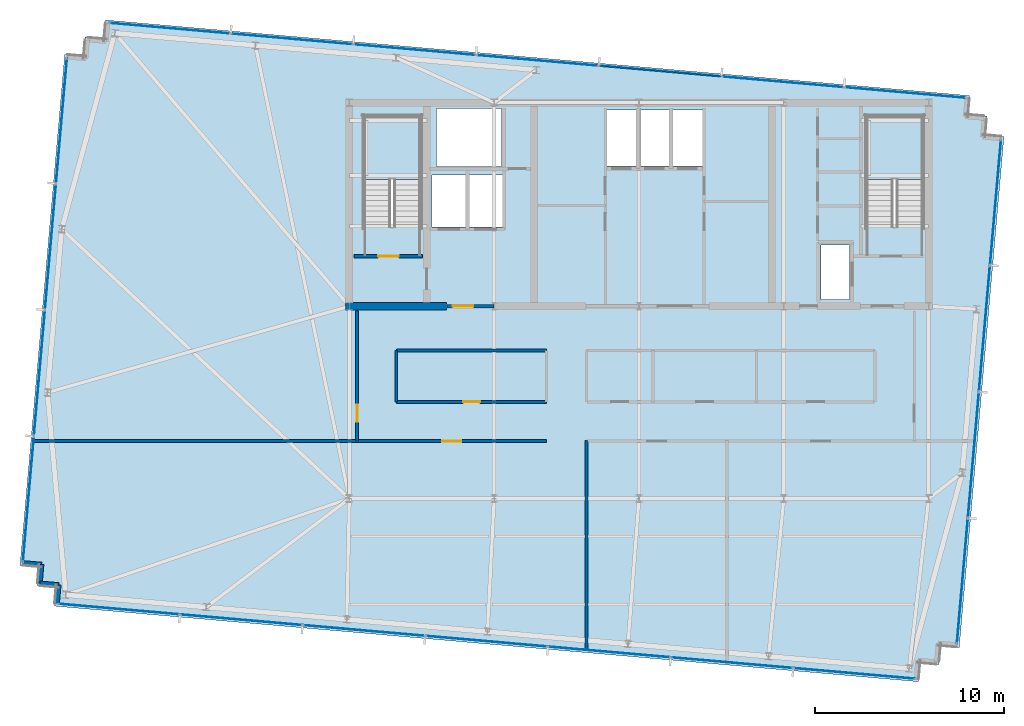
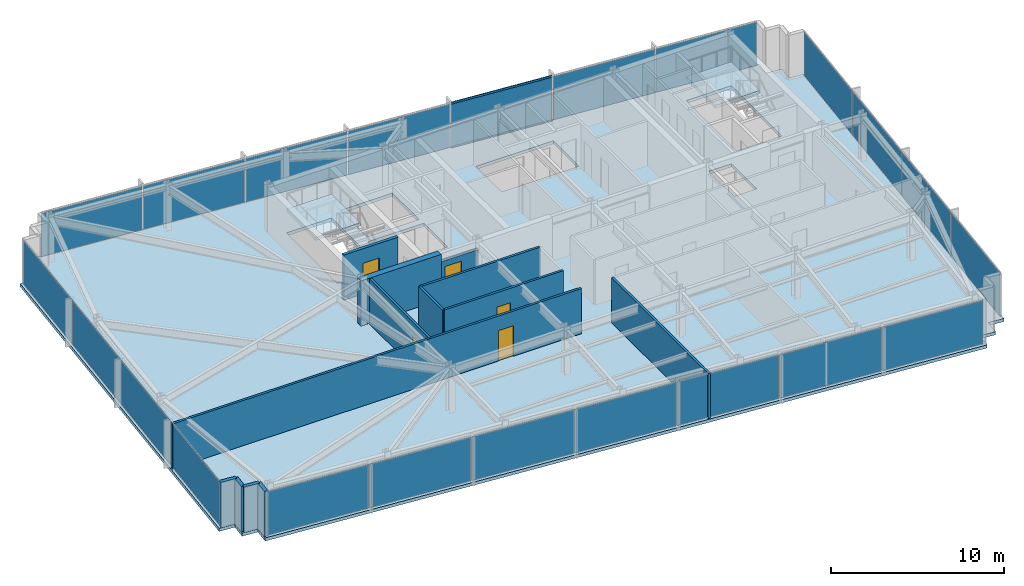
# One storey, part 26 of 32: 22 plates, 13 walls, 5 doors, 3 slabs, 2 members, 5 openings, 6 elements without a shape of their own.
"""IFC4 building model written with IfcOpenShell, lengths in metres."""

import ifcopenshell
import ifcopenshell.guid

model = None  # the IFC model being written
_history = None  # IfcOwnerHistory: only IFC2X3 demands one
_inside = {}  # id of a spatial element -> (the spatial element, [elements in it])
_under = {}  # id of a project, library or spatial element -> (it, [spatial elements below it])
_declared = {}  # id of a project -> (the project, [libraries it declares])
_typed = {}  # id of a type object -> (the type object, [elements of that type])
_made_of = {}  # id of a material, layer set ... -> (it, [elements and type objects made of it])


def new_model(schema):
    """Start an empty IFC model of exactly this schema.

    Asked for "IFC4X3", IfcOpenShell would pick the latest addendum, in which some entities
    have other attributes; the version numbers below select the first issue.
    IFC2X3 requires an IfcOwnerHistory on every rooted entity: one is made here for all.
    """
    global model, _history
    if schema == "IFC4X3":
        model = ifcopenshell.file(schema_version=(4, 3, 0, 0))
    else:
        model = ifcopenshell.file(schema=schema)
    _inside.clear()
    _under.clear()
    _declared.clear()
    _typed.clear()
    _made_of.clear()
    _history = None
    if model.schema == "IFC2X3":
        org = make("IfcOrganization", Name="unknown")
        user = make(
            "IfcPersonAndOrganization",
            ThePerson=make("IfcPerson", FamilyName="unknown"),
            TheOrganization=org,
        )
        app = make(
            "IfcApplication",
            ApplicationDeveloper=org,
            Version="unknown",
            ApplicationFullName="unknown",
            ApplicationIdentifier="unknown",
        )
        _history = make(
            "IfcOwnerHistory",
            OwningUser=user,
            OwningApplication=app,
            ChangeAction="ADDED",
            CreationDate=0,
        )
    return model


def make(cls, **values):
    """One entity of the class cls with the attributes given. An attribute that is None is left unset."""
    return model.create_entity(
        cls, **{name: value for name, value in values.items() if value is not None}
    )


def rooted(cls, **values):
    """An entity with a GlobalId (a new one), such as an element, a storey or a relation."""
    return make(cls, GlobalId=ifcopenshell.guid.new(), OwnerHistory=_history, **values)


def si_unit(unit_type, name, prefix=None):
    """IfcSIUnit, for example si_unit("LENGTHUNIT", "METRE", prefix="MILLI")."""
    return make("IfcSIUnit", UnitType=unit_type, Prefix=prefix, Name=name)


def assignment(units):
    """IfcUnitAssignment: the units of a project."""
    return None if units is None else make("IfcUnitAssignment", Units=units)


def point(xyz):
    """IfcCartesianPoint."""
    return None if xyz is None else make("IfcCartesianPoint", Coordinates=xyz)


def direction(xyz):
    """IfcDirection."""
    return None if xyz is None else make("IfcDirection", DirectionRatios=xyz)


def frame(location, z_axis=None, x_axis=None):
    """IfcAxis2Placement3D, a coordinate frame: its origin and axes. An axis left out is left unset."""
    return make(
        "IfcAxis2Placement3D",
        Location=point(location),
        Axis=direction(z_axis),
        RefDirection=direction(x_axis),
    )


def frame_2d(location, x_axis=None):
    """IfcAxis2Placement2D, a coordinate frame in the plane: its origin and x axis."""
    return make(
        "IfcAxis2Placement2D", Location=point(location), RefDirection=direction(x_axis)
    )


def origin():
    """The frame at (0, 0, 0) with its axes left unset."""
    return frame((0.0, 0.0, 0.0))


def origin_2d():
    """The frame at (0, 0) in the plane with its x axis left unset."""
    return frame_2d((0.0, 0.0))


def place(relative_to, where):
    """IfcLocalPlacement: puts the frame where relative to a parent placement (None: the world)."""
    return make(
        "IfcLocalPlacement", PlacementRelTo=relative_to, RelativePlacement=where
    )


def context(
    kind, dimensions, precision=None, world=None, true_north=None, identifier=None
):
    """IfcGeometricRepresentationContext, for example the 3D "Model" context."""
    return make(
        "IfcGeometricRepresentationContext",
        ContextIdentifier=identifier,
        ContextType=kind,
        CoordinateSpaceDimension=dimensions,
        Precision=precision,
        WorldCoordinateSystem=world,
        TrueNorth=true_north,
    )


def subcontext(parent, identifier, kind, view, scale=None):
    """IfcGeometricRepresentationSubContext, for example "Body" below "Model"."""
    return make(
        "IfcGeometricRepresentationSubContext",
        ContextIdentifier=identifier,
        ContextType=kind,
        ParentContext=parent,
        TargetScale=scale,
        TargetView=view,
    )


def project(units=None, contexts=None):
    """IfcProject with its units and contexts."""
    return rooted(
        "IfcProject",
        Name="project",
        RepresentationContexts=contexts,
        UnitsInContext=assignment(units),
    )


def spatial(cls, under=None, at=None, **own):
    """A site, building, storey or space (cls), placed at a placement, below another one or the project."""
    s = rooted(cls, ObjectPlacement=at, **own)
    if under is not None:
        _under.setdefault(under.id(), (under, []))[1].append(s)
    return s


def polyline(points):
    """IfcPolyline through the points."""
    return make("IfcPolyline", Points=[point(p) for p in points])


def profile(cls, at=None, kind="AREA", **sizes):
    """A parametric profile (cls). Its sizes go by their IFC names, for example OverallWidth=200.0."""
    return make(cls, ProfileType=kind, Position=at, **sizes)


def rectangle(**sizes):
    """IfcRectangleProfileDef."""
    return profile("IfcRectangleProfileDef", **sizes)


def hollow_rectangle(**sizes):
    """IfcRectangleHollowProfileDef."""
    return profile("IfcRectangleHollowProfileDef", **sizes)


def outline(outer, holes=None, kind="AREA"):
    """IfcArbitraryClosedProfileDef: a profile drawn as a closed curve; with holes, ...WithVoids."""
    if holes is None:
        return make("IfcArbitraryClosedProfileDef", ProfileType=kind, OuterCurve=outer)
    return make(
        "IfcArbitraryProfileDefWithVoids",
        ProfileType=kind,
        OuterCurve=outer,
        InnerCurves=holes,
    )


def extrude(swept, where, along, depth):
    """IfcExtrudedAreaSolid: the profile swept, set in the frame where, extruded along a direction by depth."""
    return make(
        "IfcExtrudedAreaSolid",
        SweptArea=swept,
        Position=where,
        ExtrudedDirection=direction(along),
        Depth=depth,
    )


def shape(context_of_items, identifier, shape_type, items):
    """IfcShapeRepresentation: the items that make up one representation, for example the "Body"."""
    return make(
        "IfcShapeRepresentation",
        ContextOfItems=context_of_items,
        RepresentationIdentifier=identifier,
        RepresentationType=shape_type,
        Items=items,
    )


def material(Name=None, Category=None):
    """IfcMaterial."""
    return make("IfcMaterial", Name=Name, Category=Category)


def layer(
    of_material, thickness, ventilated=None, Name=None, Category=None, Priority=None
):
    """IfcMaterialLayer: one layer of a wall or slab, of a material (None: an air gap)."""
    return make(
        "IfcMaterialLayer",
        Material=of_material,
        LayerThickness=thickness,
        IsVentilated=ventilated,
        Name=Name,
        Category=Category,
        Priority=Priority,
    )


def layer_set(layers, Name=None):
    """IfcMaterialLayerSet."""
    return make("IfcMaterialLayerSet", MaterialLayers=layers, LayerSetName=Name)


def material_profile(
    of_material, cross_section, Name=None, Category=None, Priority=None
):
    """IfcMaterialProfile: a cross section and its material."""
    return make(
        "IfcMaterialProfile",
        Name=Name,
        Material=of_material,
        Profile=cross_section,
        Priority=Priority,
        Category=Category,
    )


def profile_set(profiles, Name=None, composite=None):
    """IfcMaterialProfileSet."""
    return make(
        "IfcMaterialProfileSet",
        Name=Name,
        MaterialProfiles=profiles,
        CompositeProfile=composite,
    )


def made_of(thing, what):
    """Note that an element or type object is made of a material, layer set ...; save() writes the relation."""
    if what is not None:
        _made_of.setdefault(what.id(), (what, []))[1].append(thing)
    return thing


def type_object(cls, material=None, **own):
    """A type object (cls), such as IfcWallType, which elements share."""
    return made_of(rooted(cls, **own), material)


def element(
    cls,
    number,
    at=None,
    inside=None,
    cuts=None,
    type_object=None,
    material=None,
    context=None,
    identifier="Body",
    shape_type=None,
    held_by="IfcProductDefinitionShape",
    body=None,
    shapes=None,
    **own,
):
    """One element of the class cls, such as IfcWall. Its Tag is "e" and its number.

    at: its placement. inside: the storey or other place that contains it. cuts: it is an
    opening in that element (IfcRelVoidsElement). A single representation is given by context,
    identifier, shape_type and body (its items); several are given by shapes. held_by: the class
    of the entity that holds the representations. save() writes the other relations.
    """
    e = rooted(cls, Tag="e%d" % number, ObjectPlacement=at, **own)
    if body is not None:
        shapes = [shape(context, identifier, shape_type, body)]
    if shapes is not None:
        e.Representation = make(held_by, Representations=shapes)
    if inside is not None:
        _inside.setdefault(inside.id(), (inside, []))[1].append(e)
    if cuts is not None:
        rooted(
            "IfcRelVoidsElement", RelatingBuildingElement=cuts, RelatedOpeningElement=e
        )
    if type_object is not None:
        _typed.setdefault(type_object.id(), (type_object, []))[1].append(e)
    return made_of(e, material)


def fill(opening, filler):
    """IfcRelFillsElement: the door or window that sits in an opening."""
    return rooted(
        "IfcRelFillsElement",
        RelatingOpeningElement=opening,
        RelatedBuildingElement=filler,
    )


def aggregate(whole, parts):
    """IfcRelAggregates: a whole, such as a stair, and the parts it consists of."""
    return rooted("IfcRelAggregates", RelatingObject=whole, RelatedObjects=parts)


def save(model, path):
    """Write the relations noted so far, then the file.

    IfcRelAggregates (storeys below a building ...), IfcRelContainedInSpatialStructure (elements
    in a storey), IfcRelDefinesByType, IfcRelAssociatesMaterial and IfcRelDeclares: one each for
    every whole, place, type object, material and project.
    """
    for whole, parts in _under.values():
        aggregate(whole, parts)
    for where, things in _inside.values():
        rooted(
            "IfcRelContainedInSpatialStructure",
            RelatedElements=things,
            RelatingStructure=where,
        )
    for kind, things in _typed.values():
        rooted("IfcRelDefinesByType", RelatedObjects=things, RelatingType=kind)
    for what, things in _made_of.values():
        rooted("IfcRelAssociatesMaterial", RelatedObjects=things, RelatingMaterial=what)
    for by, libraries in _declared.values():
        rooted("IfcRelDeclares", RelatingContext=by, RelatedDefinitions=libraries)
    model.write(path)


model = new_model("IFC4")

# Units and contexts
model_context = context("Model", 3, precision=1e-05, world=origin(), true_north=direction((0.0, 1.0)))
body_context = subcontext(model_context, "Body", "Model", "MODEL_VIEW")
ifc_project = project(units=[si_unit("LENGTHUNIT", "METRE"), si_unit("AREAUNIT", "SQUARE_METRE"), si_unit("VOLUMEUNIT", "CUBIC_METRE"), si_unit("PLANEANGLEUNIT", "RADIAN"), si_unit("MASSUNIT", "GRAM", prefix="KILO")], contexts=[model_context])

# Site, building, storey
site_placement = place(None, origin())
site = spatial("IfcSite", under=ifc_project, at=site_placement, CompositionType="ELEMENT")
building_placement = place(site_placement, origin())
building = spatial("IfcBuilding", under=site, at=building_placement, Name="Yelkora Congress Tower", CompositionType="ELEMENT")
storey_placement = place(building_placement, frame((0.0, 0.0, 269.300048828125)))
storey = spatial("IfcBuildingStorey", under=building, at=storey_placement, Name="L75", CompositionType="ELEMENT", Elevation=269.300048828125)

# Curtain wall, members
ifc_material_1 = material(Name="Anodised aluminium and insulated glass", Category="aluminium")
curtain_wall_type = type_object("IfcCurtainWallType", Name="CW-SYS-B5", PredefinedType="NOTDEFINED", material=ifc_material_1)
curtain_wall_1_placement = place(storey_placement, origin())
curtain_wall_1 = element("IfcCurtainWall", 1, at=curtain_wall_1_placement, inside=storey, type_object=curtain_wall_type, Name="L75 Unitised Curtain Wall 10", PredefinedType="NOTDEFINED")
ifc_material_2 = material(Name="Anodised aluminium 6063-T6", Category="aluminium")
ifc_material_profile = material_profile(ifc_material_2, hollow_rectangle(XDim=0.06005859375, YDim=0.1298828125, WallThickness=0.00390625, at=origin_2d()), Name="ALU 60x130x4")
ifc_profile_set = profile_set([ifc_material_profile], Name="Anodised aluminium 6063-T6")
member_type = type_object("IfcMemberType", Name="MEM-TR-B5", PredefinedType="USERDEFINED", material=ifc_profile_set)
member_1_placement = place(storey_placement, frame((36.298583984375, 48.14794921875, 0.030029296875), z_axis=(0.996192979814, -0.08717538052, 0.0), x_axis=(0.08717538052, 0.996192979814, 0.0)))
member_1 = element("IfcMember", 2, at=member_1_placement, type_object=member_type, Name="CW-B5 transom 5.1", ObjectType="TRANSOM", PredefinedType="USERDEFINED", context=body_context, shape_type="SweptSolid", body=[
    extrude(hollow_rectangle(XDim=0.06005859375, YDim=0.1298828125, WallThickness=0.00390625, at=origin_2d()), origin(), (0.0, 0.0, 1.0), 6.466552734375),
])
member_2_placement = place(storey_placement, frame((36.298583984375, 48.14794921875, 3.14990234375), z_axis=(0.996192979814, -0.08717538052, 0.0), x_axis=(0.08717538052, 0.996192979814, 0.0)))
member_2 = element("IfcMember", 3, at=member_2_placement, type_object=member_type, Name="CW-B5 transom 5.2", ObjectType="TRANSOM", PredefinedType="USERDEFINED", context=body_context, shape_type="SweptSolid", body=[
    extrude(hollow_rectangle(XDim=0.06005859375, YDim=0.1298828125, WallThickness=0.00390625, at=origin_2d()), origin(), (0.0, 0.0, 1.0), 6.466552734375),
])

# Curtain wall, plates
curtain_wall_2_placement = place(storey_placement, origin())
curtain_wall_2 = element("IfcCurtainWall", 4, at=curtain_wall_2_placement, inside=storey, type_object=curtain_wall_type, Name="L75 Unitised Curtain Wall 5", PredefinedType="NOTDEFINED")
ifc_material_3 = material(Name="High-altitude triple glazed unit B5", Category="glass")
ifc_layer_1 = layer(ifc_material_3, 0.033935546875)
ifc_layer_set_1 = layer_set([ifc_layer_1], Name="High-altitude triple glazed unit B5")
plate_type = type_object("IfcPlateType", Name="PLT-PN-B5", PredefinedType="CURTAIN_PANEL", material=ifc_layer_set_1)
plate_1_placement = place(storey_placement, frame((6.021728515625, 25.16064453125, 0.059814453125), z_axis=(0.0, 0.0, 1.0), x_axis=(0.08715473876, 0.996194785929, 0.0)))
plate_1 = element("IfcPlate", 5, at=plate_1_placement, type_object=plate_type, Name="CW-B5 panel 1.1", PredefinedType="CURTAIN_PANEL", context=body_context, shape_type="SweptSolid", body=[
    extrude(rectangle(XDim=6.632568359375, YDim=0.033935546875, at=origin_2d()), origin(), (0.0, 0.0, 1.0), 3.06005859375),
])
plate_2_placement = place(storey_placement, frame((6.60693359375, 31.848876953125, 0.059814453125), z_axis=(0.0, 0.0, 1.0), x_axis=(0.08715473876, 0.996194785929, 0.0)))
plate_2 = element("IfcPlate", 6, at=plate_2_placement, type_object=plate_type, Name="CW-B5 panel 2.1", PredefinedType="CURTAIN_PANEL", context=body_context, shape_type="SweptSolid", body=[
    extrude(rectangle(XDim=6.6650390625, YDim=0.033935546875, at=origin_2d()), origin(), (0.0, 0.0, 1.0), 3.06005859375),
])
plate_3_placement = place(storey_placement, frame((7.193359375, 38.55322265625, 0.059814453125), z_axis=(0.0, 0.0, 1.0), x_axis=(0.08715473876, 0.996194785929, 0.0)))
plate_3 = element("IfcPlate", 7, at=plate_3_placement, type_object=plate_type, Name="CW-B5 panel 3.1", PredefinedType="CURTAIN_PANEL", context=body_context, shape_type="SweptSolid", body=[
    extrude(rectangle(XDim=6.6650390625, YDim=0.033935546875, at=origin_2d()), origin(), (0.0, 0.0, 1.0), 3.06005859375),
])
plate_4_placement = place(storey_placement, frame((7.778564453125, 45.2412109375, 0.059814453125), z_axis=(0.0, 0.0, 1.0), x_axis=(0.08715473876, 0.996194785929, 0.0)))
plate_4 = element("IfcPlate", 8, at=plate_4_placement, type_object=plate_type, Name="CW-B5 panel 4.1", PredefinedType="CURTAIN_PANEL", context=body_context, shape_type="SweptSolid", body=[
    extrude(rectangle(XDim=6.632568359375, YDim=0.033935546875, at=origin_2d()), origin(), (0.0, 0.0, 1.0), 3.06005859375),
])
aggregate(curtain_wall_2, [plate_1, plate_2, plate_3, plate_4])

# Plate
plate_5_placement = place(storey_placement, frame((13.509521484375, 50.141845703125, 0.059814453125), z_axis=(0.0, 0.0, 1.0), x_axis=(0.996194619601, -0.087156639893, 0.0)))
plate_5 = element("IfcPlate", 9, at=plate_5_placement, type_object=plate_type, Name="CW-B5 panel 1.1", PredefinedType="CURTAIN_PANEL", context=body_context, shape_type="SweptSolid", body=[
    extrude(rectangle(XDim=6.433837890625, YDim=0.033935546875, at=origin_2d()), origin(), (0.0, 0.0, 1.0), 3.06005859375),
])

plate_6_placement = place(storey_placement, frame((19.999755859375, 49.573974609375, 0.059814453125), z_axis=(0.0, 0.0, 1.0), x_axis=(0.996194619601, -0.087156639893, 0.0)))
plate_6 = element("IfcPlate", 10, at=plate_6_placement, type_object=plate_type, Name="CW-B5 panel 2.1", PredefinedType="CURTAIN_PANEL", context=body_context, shape_type="SweptSolid", body=[
    extrude(rectangle(XDim=6.46630859375, YDim=0.033935546875, at=origin_2d()), origin(), (0.0, 0.0, 1.0), 3.06005859375),
])

plate_7_placement = place(storey_placement, frame((26.50634765625, 49.004638671875, 0.059814453125), z_axis=(0.0, 0.0, 1.0), x_axis=(0.996194619601, -0.087156639893, 0.0)))
plate_7 = element("IfcPlate", 11, at=plate_7_placement, type_object=plate_type, Name="CW-B5 panel 3.1", PredefinedType="CURTAIN_PANEL", context=body_context, shape_type="SweptSolid", body=[
    extrude(rectangle(XDim=6.46630859375, YDim=0.033935546875, at=origin_2d()), origin(), (0.0, 0.0, 1.0), 3.06005859375),
])

plate_8_placement = place(storey_placement, frame((33.012939453125, 48.435302734375, 0.059814453125), z_axis=(0.0, 0.0, 1.0), x_axis=(0.996194619601, -0.087156639893, 0.0)))
plate_8 = element("IfcPlate", 12, at=plate_8_placement, type_object=plate_type, Name="CW-B5 panel 4.1", PredefinedType="CURTAIN_PANEL", context=body_context, shape_type="SweptSolid", body=[
    extrude(rectangle(XDim=6.46630859375, YDim=0.033935546875, at=origin_2d()), origin(), (0.0, 0.0, 1.0), 3.06005859375),
])

plate_9_placement = place(storey_placement, frame((39.51953125, 47.8662109375, 0.059814453125), z_axis=(0.0, 0.0, 1.0), x_axis=(0.996194619601, -0.087156639893, 0.0)))
plate_9 = element("IfcPlate", 13, at=plate_9_placement, type_object=plate_type, Name="CW-B5 panel 5.1", PredefinedType="CURTAIN_PANEL", context=body_context, shape_type="SweptSolid", body=[
    extrude(rectangle(XDim=6.46630859375, YDim=0.033935546875, at=origin_2d()), origin(), (0.0, 0.0, 1.0), 3.06005859375),
])

plate_10_placement = place(storey_placement, frame((46.026123046875, 47.296875, 0.059814453125), z_axis=(0.0, 0.0, 1.0), x_axis=(0.996194619601, -0.087156639893, 0.0)))
plate_10 = element("IfcPlate", 14, at=plate_10_placement, type_object=plate_type, Name="CW-B5 panel 6.1", PredefinedType="CURTAIN_PANEL", context=body_context, shape_type="SweptSolid", body=[
    extrude(rectangle(XDim=6.46630859375, YDim=0.033935546875, at=origin_2d()), origin(), (0.0, 0.0, 1.0), 3.06005859375),
])

plate_11_placement = place(storey_placement, frame((52.5166015625, 46.72900390625, 0.059814453125), z_axis=(0.0, 0.0, 1.0), x_axis=(0.996194619601, -0.087156639893, 0.0)))
plate_11 = element("IfcPlate", 15, at=plate_11_placement, type_object=plate_type, Name="CW-B5 panel 7.1", PredefinedType="CURTAIN_PANEL", context=body_context, shape_type="SweptSolid", body=[
    extrude(rectangle(XDim=6.433837890625, YDim=0.033935546875, at=origin_2d()), origin(), (0.0, 0.0, 1.0), 3.06005859375),
])

aggregate(curtain_wall_1, [plate_5, plate_6, plate_7, plate_8, member_1, member_2, plate_9, plate_10, plate_11])

# Curtain wall, plates
curtain_wall_3_placement = place(storey_placement, origin())
curtain_wall_3 = element("IfcCurtainWall", 16, at=curtain_wall_3_placement, inside=storey, type_object=curtain_wall_type, Name="L75 Unitised Curtain Wall 15", PredefinedType="NOTDEFINED")
plate_12_placement = place(storey_placement, frame((57.309326171875, 40.907958984375, 0.059814453125), z_axis=(0.0, 0.0, 1.0), x_axis=(-0.087158425264, -0.996194463398, 0.0)))
plate_12 = element("IfcPlate", 17, at=plate_12_placement, type_object=plate_type, Name="CW-B5 panel 1.1", PredefinedType="CURTAIN_PANEL", context=body_context, shape_type="SweptSolid", body=[
    extrude(rectangle(XDim=6.632568359375, YDim=0.033935546875, at=origin_2d()), origin(), (0.0, 0.0, 1.0), 3.06005859375),
])
plate_13_placement = place(storey_placement, frame((56.72412109375, 34.2197265625, 0.059814453125), z_axis=(0.0, 0.0, 1.0), x_axis=(-0.087158425264, -0.996194463398, 0.0)))
plate_13 = element("IfcPlate", 18, at=plate_13_placement, type_object=plate_type, Name="CW-B5 panel 2.1", PredefinedType="CURTAIN_PANEL", context=body_context, shape_type="SweptSolid", body=[
    extrude(rectangle(XDim=6.6650390625, YDim=0.033935546875, at=origin_2d()), origin(), (0.0, 0.0, 1.0), 3.06005859375),
])
plate_14_placement = place(storey_placement, frame((56.1376953125, 27.515380859375, 0.059814453125), z_axis=(0.0, 0.0, 1.0), x_axis=(-0.087158425264, -0.996194463398, 0.0)))
plate_14 = element("IfcPlate", 19, at=plate_14_placement, type_object=plate_type, Name="CW-B5 panel 3.1", PredefinedType="CURTAIN_PANEL", context=body_context, shape_type="SweptSolid", body=[
    extrude(rectangle(XDim=6.6650390625, YDim=0.033935546875, at=origin_2d()), origin(), (0.0, 0.0, 1.0), 3.06005859375),
])
plate_15_placement = place(storey_placement, frame((55.552490234375, 20.8271484375, 0.059814453125), z_axis=(0.0, 0.0, 1.0), x_axis=(-0.087158425264, -0.996194463398, 0.0)))
plate_15 = element("IfcPlate", 20, at=plate_15_placement, type_object=plate_type, Name="CW-B5 panel 4.1", PredefinedType="CURTAIN_PANEL", context=body_context, shape_type="SweptSolid", body=[
    extrude(rectangle(XDim=6.632568359375, YDim=0.033935546875, at=origin_2d()), origin(), (0.0, 0.0, 1.0), 3.06005859375),
])
aggregate(curtain_wall_3, [plate_12, plate_13, plate_14, plate_15])

curtain_wall_4_placement = place(storey_placement, origin())
curtain_wall_4 = element("IfcCurtainWall", 21, at=curtain_wall_4_placement, inside=storey, type_object=curtain_wall_type, Name="L75 Unitised Curtain Wall 20", PredefinedType="NOTDEFINED")
plate_16_placement = place(storey_placement, frame((49.821533203125, 15.9267578125, 0.059814453125), z_axis=(0.0, 0.0, 1.0), x_axis=(-0.996194602987, 0.087156829793, 0.0)))
plate_16 = element("IfcPlate", 22, at=plate_16_placement, type_object=plate_type, Name="CW-B5 panel 1.1", PredefinedType="CURTAIN_PANEL", context=body_context, shape_type="SweptSolid", body=[
    extrude(rectangle(XDim=6.433837890625, YDim=0.033935546875, at=origin_2d()), origin(), (0.0, 0.0, 1.0), 3.06005859375),
])
plate_17_placement = place(storey_placement, frame((43.331298828125, 16.49462890625, 0.059814453125), z_axis=(0.0, 0.0, 1.0), x_axis=(-0.996194602987, 0.087156829793, 0.0)))
plate_17 = element("IfcPlate", 23, at=plate_17_placement, type_object=plate_type, Name="CW-B5 panel 2.1", PredefinedType="CURTAIN_PANEL", context=body_context, shape_type="SweptSolid", body=[
    extrude(rectangle(XDim=6.46630859375, YDim=0.033935546875, at=origin_2d()), origin(), (0.0, 0.0, 1.0), 3.06005859375),
])
plate_18_placement = place(storey_placement, frame((36.82470703125, 17.06396484375, 0.059814453125), z_axis=(0.0, 0.0, 1.0), x_axis=(-0.996194602987, 0.087156829793, 0.0)))
plate_18 = element("IfcPlate", 24, at=plate_18_placement, type_object=plate_type, Name="CW-B5 panel 3.1", PredefinedType="CURTAIN_PANEL", context=body_context, shape_type="SweptSolid", body=[
    extrude(rectangle(XDim=6.46630859375, YDim=0.033935546875, at=origin_2d()), origin(), (0.0, 0.0, 1.0), 3.06005859375),
])
plate_19_placement = place(storey_placement, frame((30.318115234375, 17.633056640625, 0.059814453125), z_axis=(0.0, 0.0, 1.0), x_axis=(-0.996194602987, 0.087156829793, 0.0)))
plate_19 = element("IfcPlate", 25, at=plate_19_placement, type_object=plate_type, Name="CW-B5 panel 4.1", PredefinedType="CURTAIN_PANEL", context=body_context, shape_type="SweptSolid", body=[
    extrude(rectangle(XDim=6.46630859375, YDim=0.033935546875, at=origin_2d()), origin(), (0.0, 0.0, 1.0), 3.06005859375),
])
plate_20_placement = place(storey_placement, frame((23.8115234375, 18.202392578125, 0.059814453125), z_axis=(0.0, 0.0, 1.0), x_axis=(-0.996194602987, 0.087156829793, 0.0)))
plate_20 = element("IfcPlate", 26, at=plate_20_placement, type_object=plate_type, Name="CW-B5 panel 5.1", PredefinedType="CURTAIN_PANEL", context=body_context, shape_type="SweptSolid", body=[
    extrude(rectangle(XDim=6.46630859375, YDim=0.033935546875, at=origin_2d()), origin(), (0.0, 0.0, 1.0), 3.06005859375),
])
plate_21_placement = place(storey_placement, frame((17.304931640625, 18.771728515625, 0.059814453125), z_axis=(0.0, 0.0, 1.0), x_axis=(-0.996194602987, 0.087156829793, 0.0)))
plate_21 = element("IfcPlate", 27, at=plate_21_placement, type_object=plate_type, Name="CW-B5 panel 6.1", PredefinedType="CURTAIN_PANEL", context=body_context, shape_type="SweptSolid", body=[
    extrude(rectangle(XDim=6.46630859375, YDim=0.033935546875, at=origin_2d()), origin(), (0.0, 0.0, 1.0), 3.06005859375),
])
plate_22_placement = place(storey_placement, frame((10.814697265625, 19.33935546875, 0.059814453125), z_axis=(0.0, 0.0, 1.0), x_axis=(-0.996194602987, 0.087156829793, 0.0)))
plate_22 = element("IfcPlate", 28, at=plate_22_placement, type_object=plate_type, Name="CW-B5 panel 7.1", PredefinedType="CURTAIN_PANEL", context=body_context, shape_type="SweptSolid", body=[
    extrude(rectangle(XDim=6.433837890625, YDim=0.033935546875, at=origin_2d()), origin(), (0.0, 0.0, 1.0), 3.06005859375),
])
aggregate(curtain_wall_4, [plate_16, plate_17, plate_18, plate_19, plate_20, plate_21, plate_22])

# Stair, slab
ifc_material_4 = material(Name="Concrete C40/50", Category="concrete")
stair_type = type_object("IfcStairType", Name="STAIR-HT-1420-R20-170", PredefinedType="HALF_TURN_STAIR", material=ifc_material_4)
stair_1_placement = place(storey_placement, origin())
stair_1 = element("IfcStair", 29, at=stair_1_placement, inside=storey, type_object=stair_type, Name="West Core Protected Exit Stair ST-01 (L75)", PredefinedType="HALF_TURN_STAIR")
ifc_layer_2 = layer(ifc_material_4, 0.219970703125)
ifc_layer_set_2 = layer_set([ifc_layer_2], Name="Concrete C40/50")
slab_type_1 = type_object("IfcSlabType", Name="SLAB-LANDING-220", PredefinedType="LANDING", material=ifc_layer_set_2)
slab_1_placement = place(storey_placement, frame((0.0, 0.0, 1.47998046875)))
slab_1 = element("IfcSlab", 30, at=slab_1_placement, type_object=slab_type_1, Name="ST-01 L75 Half Landing 1", PredefinedType="LANDING", context=body_context, shape_type="SweptSolid", body=[
    extrude(outline(polyline([(26.820068359375, 42.1201171875), (26.820068359375, 45.469970703125), (23.820068359375, 45.469970703125), (23.820068359375, 42.1201171875), (26.820068359375, 42.1201171875)])), origin(), (0.0, 0.0, 1.0), 0.219970703125),
])
aggregate(stair_1, [slab_1])

stair_2_placement = place(storey_placement, origin())
stair_2 = element("IfcStair", 31, at=stair_2_placement, inside=storey, type_object=stair_type, Name="East Core Protected Exit Stair ST-02 (L75)", PredefinedType="HALF_TURN_STAIR")
slab_2_placement = place(storey_placement, frame((0.0, 0.0, 1.47998046875)))
slab_2 = element("IfcSlab", 32, at=slab_2_placement, type_object=slab_type_1, Name="ST-02 L75 Half Landing 1", PredefinedType="LANDING", context=body_context, shape_type="SweptSolid", body=[
    extrude(outline(polyline([(53.4599609375, 42.1201171875), (53.4599609375, 45.469970703125), (50.4599609375, 45.469970703125), (50.4599609375, 42.1201171875), (53.4599609375, 42.1201171875)])), origin(), (0.0, 0.0, 1.0), 0.219970703125),
])
aggregate(stair_2, [slab_2])

# Slab
ifc_layer_3 = layer(ifc_material_4, 0.219970703125)
ifc_layer_set_3 = layer_set([ifc_layer_3], Name="Concrete C40/50")
slab_type_2 = type_object("IfcSlabType", Name="SLAB-TWR-220", PredefinedType="FLOOR", material=ifc_layer_set_3)
slab_3_placement = place(storey_placement, frame((0.0, 0.0, -0.219970703125)))
element("IfcSlab", 33, at=slab_3_placement, inside=storey, type_object=slab_type_2, Name="L75 Structural Floor Slab", PredefinedType="FLOOR", context=body_context, shape_type="SweptSolid", body=[
    extrude(outline(polyline([(7.3935546875, 19.498291015625), (53.218505859375, 15.489013671875), (53.3056640625, 16.485107421875), (54.3017578125, 16.398193359375), (54.388916015625, 17.394287109375), (55.385009765625, 17.30712890625), (57.755859375, 44.403564453125), (56.759521484375, 44.49072265625), (56.8466796875, 45.487060546875), (55.8505859375, 45.57421875), (55.937744140625, 46.5703125), (10.11279296875, 50.57958984375), (10.025634765625, 49.583251953125), (9.029296875, 49.67041015625), (8.942138671875, 48.67431640625), (7.946044921875, 48.761474609375), (5.575439453125, 21.664794921875), (6.571533203125, 21.57763671875), (6.484619140625, 20.58154296875), (7.480712890625, 20.494384765625), (7.3935546875, 19.498291015625)]), holes=[polyline([(23.820068359375, 39.6298828125), (26.820068359375, 39.6298828125), (26.820068359375, 45.469970703125), (23.820068359375, 45.469970703125), (23.820068359375, 39.6298828125)]), polyline([(50.4599609375, 39.6298828125), (53.4599609375, 39.6298828125), (53.4599609375, 45.469970703125), (50.4599609375, 45.469970703125), (50.4599609375, 39.6298828125)]), polyline([(48.050048828125, 35.75), (49.550048828125, 35.75), (49.550048828125, 38.64990234375), (48.050048828125, 38.64990234375), (48.050048828125, 35.75)]), polyline([(36.64990234375, 42.85009765625), (41.800048828125, 42.85009765625), (41.800048828125, 45.800048828125), (36.64990234375, 45.800048828125), (36.64990234375, 42.85009765625)]), polyline([(27.419921875, 39.60009765625), (31.179931640625, 39.60009765625), (31.179931640625, 42.35009765625), (27.419921875, 42.35009765625), (27.419921875, 39.60009765625)]), polyline([(27.64990234375, 42.820068359375), (31.1201171875, 42.820068359375), (31.1201171875, 45.8798828125), (27.64990234375, 45.8798828125), (27.64990234375, 42.820068359375)])]), origin(), (0.0, 0.0, 1.0), 0.219970703125),
])

# Walls
ifc_material_5 = material(Name="Concrete C50/60", Category="concrete")
ifc_layer_4 = layer(ifc_material_5, 0.39990234375)
ifc_layer_set_4 = layer_set([ifc_layer_4], Name="Concrete C50/60")
wall_type_1 = type_object("IfcWallType", Name="WALL-CORE-INT-400", PredefinedType="SHEAR", material=ifc_layer_set_4)
wall_1_placement = place(storey_placement, frame((22.840087890625, 35.39990234375, 0.0), z_axis=(0.0, 0.0, 1.0), x_axis=(1.0, 0.0, 0.0)))
element("IfcWall", 34, at=wall_1_placement, inside=storey, type_object=wall_type_1, Name="L75 Rear Core South-West Shear Wall", PredefinedType="SHEAR", context=body_context, shape_type="SweptSolid", body=[
    extrude(rectangle(XDim=5.35986328125, YDim=0.39990234375, at=frame_2d((2.679931640625, 0.0))), origin(), (0.0, 0.0, 1.0), 3.179931640625),
])
ifc_layer_5 = layer(ifc_material_4, 0.239990234375)
ifc_layer_set_5 = layer_set([ifc_layer_5], Name="Concrete C40/50")
wall_type_2 = type_object("IfcWallType", Name="WALL-EXT-LIMESTONE-240", PredefinedType="SOLIDWALL", material=ifc_layer_set_5)
for number, where, z_axis, x_axis, name in (
    (35, (7.545166015625, 19.62548828125, 0.0), (0.0, 0.0, 1.0), (0.087166950281, 0.996193717496, 0.0), "L75 Serrated Corner Limestone Pier 1"),
    (36, (7.63232421875, 20.62158203125, 0.0), (0.0, 0.0, 1.0), (-0.996193717496, 0.087166950281, 0.0), "L75 Serrated Corner Limestone Pier 2"),
):
    element("IfcWall", number, at=place(storey_placement, frame(where, z_axis=z_axis, x_axis=x_axis)), inside=storey, type_object=wall_type_2, Name=name, PredefinedType="SOLIDWALL", context=body_context, shape_type="SweptSolid", body=[
        extrude(rectangle(XDim=1.0, YDim=0.239990234375, at=frame_2d((0.5, 0.0))), origin(), (0.0, 0.0, 1.0), 3.179931640625),
    ])
for number, where, z_axis, x_axis, name in (
    (37, (6.63623046875, 20.708740234375, 0.0), (0.0, 0.0, 1.0), (0.087145753297, 0.996195572005, 0.0), "L75 Serrated Corner Limestone Pier 3"),
    (38, (6.723388671875, 21.705078125, 0.0), (0.0, 0.0, 1.0), (-0.996195572005, 0.087145753297, 0.0), "L75 Serrated Corner Limestone Pier 4"),
):
    element("IfcWall", number, at=place(storey_placement, frame(where, z_axis=z_axis, x_axis=x_axis)), inside=storey, type_object=wall_type_2, Name=name, PredefinedType="SOLIDWALL", context=body_context, shape_type="SweptSolid", body=[
        extrude(rectangle(XDim=1.000244140625, YDim=0.239990234375, at=frame_2d((0.5, 0.0))), origin(), (0.0, 0.0, 1.0), 3.179931640625),
    ])
ifc_material_6 = material(Name="Acoustic metal-stud gypsum partition", Category="gypsum")
ifc_layer_6 = layer(ifc_material_6, 0.14990234375)
ifc_layer_set_6 = layer_set([ifc_layer_6], Name="Acoustic metal-stud gypsum partition")
wall_type_3 = type_object("IfcWallType", Name="WALL-INT-150-NR", PredefinedType="PARTITIONING", material=ifc_layer_set_6)
wall_2_placement = place(storey_placement, frame((35.6201171875, 17.10888671875, 0.0), z_axis=(0.0, 0.0, 1.0), x_axis=(0.0, 1.0, 0.0)))
element("IfcWall", 39, at=wall_2_placement, inside=storey, type_object=wall_type_3, Name="L75 Partition Wall 24", PredefinedType="PARTITIONING", context=body_context, shape_type="SweptSolid", body=[
    extrude(rectangle(XDim=11.1611328125, YDim=0.14990234375, at=frame_2d((5.58056640625, 0.0))), origin(), (0.0, 0.0, 1.0), 3.179931640625),
])

# Wall, opening, door
wall_3_placement = place(storey_placement, frame((6.231689453125, 28.25, 0.0), z_axis=(0.0, 0.0, 1.0), x_axis=(1.0, 0.0, 0.0)))
wall_3 = element("IfcWall", 40, at=wall_3_placement, inside=storey, type_object=wall_type_3, Name="L75 South Spine Wall West", PredefinedType="PARTITIONING", context=body_context, shape_type="SweptSolid", body=[
    extrude(rectangle(XDim=27.268310546875, YDim=0.14990234375, at=frame_2d((13.63427734375, 0.0))), origin(), (0.0, 0.0, 1.0), 3.179931640625),
])
opening_1_placement = place(wall_3_placement, frame((21.73828125, 0.0, 0.0)))
opening_1 = element("IfcOpeningElement", 41, at=opening_1_placement, cuts=wall_3, Name="Opening DR-100N", PredefinedType="OPENING", context=body_context, shape_type="SweptSolid", body=[
    extrude(rectangle(XDim=1.0, YDim=2.14990234375, at=frame_2d((0.5, 1.074951171875))), frame((0.0, 0.0849609375, 0.0), z_axis=(0.0, -1.0, 0.0), x_axis=(1.0, 0.0, 0.0)), (0.0, 0.0, 1.0), 0.169921875),
])
ifc_material_7 = material(Name="Solid-core Anatolian oak veneer door", Category="wood")
door_type_1 = type_object("IfcDoorType", Name="DOOR-INT-1000", OperationType="NOTDEFINED", PredefinedType="DOOR", material=ifc_material_7)
door_1_placement = place(opening_1_placement, origin())
door_1 = element("IfcDoor", 42, at=door_1_placement, inside=storey, type_object=door_type_1, Name="L75 Store Equipment Door", OperationType="SINGLE_SWING_LEFT", OverallHeight=2.14990234375, OverallWidth=1.0, PredefinedType="DOOR", context=body_context, shape_type="SweptSolid", body=[
    extrude(rectangle(XDim=1.0, YDim=2.14990234375, at=frame_2d((0.5, 1.074951171875))), frame((0.0, 0.02490234375, 0.0), z_axis=(0.0, -1.0, 0.0), x_axis=(1.0, 0.0, 0.0)), (0.0, 0.0, 1.0), 0.050048828125),
])
fill(opening_1, door_1)

wall_4_placement = place(storey_placement, frame((23.449951171875, 28.25, 0.0), z_axis=(0.0, 0.0, 1.0), x_axis=(0.0, 1.0, 0.0)))
wall_4 = element("IfcWall", 43, at=wall_4_placement, inside=storey, type_object=wall_type_3, Name="L75 Partition Wall 28", PredefinedType="PARTITIONING", context=body_context, shape_type="SweptSolid", body=[
    extrude(rectangle(XDim=6.889892578125, YDim=0.14990234375, at=frame_2d((3.44482421875, 0.0))), origin(), (0.0, 0.0, 1.0), 3.179931640625),
])
opening_2_placement = place(wall_4_placement, frame((1.030029296875, 0.0, 0.0)))
opening_2 = element("IfcOpeningElement", 44, at=opening_2_placement, cuts=wall_4, Name="Opening DR-090N", PredefinedType="OPENING", context=body_context, shape_type="SweptSolid", body=[
    extrude(rectangle(XDim=0.89990234375, YDim=2.14990234375, at=frame_2d((0.449951171875, 1.074951171875))), frame((0.0, 0.0849609375, 0.0), z_axis=(0.0, -1.0, 0.0), x_axis=(1.0, 0.0, 0.0)), (0.0, 0.0, 1.0), 0.169921875),
])
ifc_material_8 = material(Name="Moisture-resistant laminate door leaf", Category="wood")
door_type_2 = type_object("IfcDoorType", Name="DOOR-INT-900", OperationType="NOTDEFINED", PredefinedType="DOOR", material=ifc_material_8)
door_2_placement = place(opening_2_placement, origin())
door_2 = element("IfcDoor", 45, at=door_2_placement, inside=storey, type_object=door_type_2, Name="L75 W Wing Door", OperationType="SINGLE_SWING_RIGHT", OverallHeight=2.14990234375, OverallWidth=0.89990234375, PredefinedType="DOOR", context=body_context, shape_type="SweptSolid", body=[
    extrude(rectangle(XDim=0.89990234375, YDim=2.14990234375, at=frame_2d((0.449951171875, 1.074951171875))), frame((0.0, 0.02490234375, 0.0), z_axis=(0.0, -1.0, 0.0), x_axis=(1.0, 0.0, 0.0)), (0.0, 0.0, 1.0), 0.050048828125),
])
fill(opening_2, door_2)

# Walls
wall_5_placement = place(storey_placement, frame((25.530029296875, 30.330078125, 0.0), z_axis=(0.0, 0.0, 1.0), x_axis=(0.0, 1.0, 0.0)))
element("IfcWall", 46, at=wall_5_placement, inside=storey, type_object=wall_type_3, Name="L75 Partition Wall 30", PredefinedType="PARTITIONING", context=body_context, shape_type="SweptSolid", body=[
    extrude(rectangle(XDim=2.719970703125, YDim=0.14990234375, at=frame_2d((1.35986328125, 0.0))), origin(), (0.0, 0.0, 1.0), 3.179931640625),
])
wall_6_placement = place(storey_placement, frame((25.530029296875, 33.050048828125, 0.0), z_axis=(0.0, 0.0, 1.0), x_axis=(1.0, 0.0, 0.0)))
element("IfcWall", 47, at=wall_6_placement, inside=storey, type_object=wall_type_3, Name="L75 Partition Wall 34", PredefinedType="PARTITIONING", context=body_context, shape_type="SweptSolid", body=[
    extrude(rectangle(XDim=7.969970703125, YDim=0.14990234375, at=frame_2d((3.98486328125, 0.0))), origin(), (0.0, 0.0, 1.0), 3.179931640625),
])

# Wall, opening, door
wall_7_placement = place(storey_placement, frame((25.550048828125, 30.330078125, 0.0), z_axis=(0.0, 0.0, 1.0), x_axis=(1.0, 0.0, 0.0)))
wall_7 = element("IfcWall", 48, at=wall_7_placement, inside=storey, type_object=wall_type_3, Name="L75 Partition Wall 36", PredefinedType="PARTITIONING", context=body_context, shape_type="SweptSolid", body=[
    extrude(rectangle(XDim=7.93994140625, YDim=0.14990234375, at=frame_2d((3.969970703125, 0.0))), origin(), (0.0, 0.0, 1.0), 3.179931640625),
])
opening_3_placement = place(wall_7_placement, frame((3.52001953125, 0.0, 0.0)))
opening_3 = element("IfcOpeningElement", 49, at=opening_3_placement, cuts=wall_7, Name="Opening DR-090N", PredefinedType="OPENING", context=body_context, shape_type="SweptSolid", body=[
    extrude(rectangle(XDim=0.89990234375, YDim=2.14990234375, at=frame_2d((0.449951171875, 1.074951171875))), frame((0.0, 0.0849609375, 0.0), z_axis=(0.0, -1.0, 0.0), x_axis=(1.0, 0.0, 0.0)), (0.0, 0.0, 1.0), 0.169921875),
])
door_3_placement = place(opening_3_placement, origin())
door_3 = element("IfcDoor", 50, at=door_3_placement, inside=storey, type_object=door_type_2, Name="L75 Executive Boardroom Door", OperationType="SINGLE_SWING_RIGHT", OverallHeight=2.14990234375, OverallWidth=0.89990234375, PredefinedType="DOOR", context=body_context, shape_type="SweptSolid", body=[
    extrude(rectangle(XDim=0.89990234375, YDim=2.14990234375, at=frame_2d((0.449951171875, 1.074951171875))), frame((0.0, 0.02490234375, 0.0), z_axis=(0.0, -1.0, 0.0), x_axis=(1.0, 0.0, 0.0)), (0.0, 0.0, 1.0), 0.050048828125),
])
fill(opening_3, door_3)

ifc_material_9 = material(Name="Autoclaved aerated concrete blockwork", Category="masonry")
ifc_layer_7 = layer(ifc_material_9, 0.199951171875)
ifc_layer_set_7 = layer_set([ifc_layer_7], Name="Autoclaved aerated concrete blockwork")
wall_type_4 = type_object("IfcWallType", Name="WALL-INT-200-R120", PredefinedType="PARTITIONING", material=ifc_layer_set_7)
wall_8_placement = place(storey_placement, frame((23.300048828125, 38.050048828125, 0.0), z_axis=(0.0, 0.0, 1.0), x_axis=(1.0, 0.0, 0.0)))
wall_8 = element("IfcWall", 51, at=wall_8_placement, inside=storey, type_object=wall_type_4, Name="L75 Stair ST-01 Enclosure Wall", PredefinedType="PARTITIONING", context=body_context, shape_type="SweptSolid", body=[
    extrude(rectangle(XDim=3.619873046875, YDim=0.199951171875, at=frame_2d((1.81005859375, 0.0))), origin(), (0.0, 0.0, 1.0), 3.179931640625),
])
opening_4_placement = place(wall_8_placement, frame((1.260009765625, 0.0, 0.0)))
opening_4 = element("IfcOpeningElement", 52, at=opening_4_placement, cuts=wall_8, Name="Opening DR-110F9", PredefinedType="OPENING", context=body_context, shape_type="SweptSolid", body=[
    extrude(rectangle(XDim=1.10009765625, YDim=2.14990234375, at=frame_2d((0.550048828125, 1.074951171875))), frame((0.0, 0.10986328125, 0.0), z_axis=(0.0, -1.0, 0.0), x_axis=(1.0, 0.0, 0.0)), (0.0, 0.0, 1.0), 0.219970703125),
])
ifc_material_10 = material(Name="Galvanised steel fire door leaf", Category="steel")
door_type_3 = type_object("IfcDoorType", Name="DOOR-FD90-1100", OperationType="NOTDEFINED", PredefinedType="DOOR", material=ifc_material_10)
door_4_placement = place(opening_4_placement, origin())
door_4 = element("IfcDoor", 53, at=door_4_placement, inside=storey, type_object=door_type_3, Name="L75 Stair ST-01 Entry Door", OperationType="SINGLE_SWING_LEFT", OverallHeight=2.14990234375, OverallWidth=1.10009765625, PredefinedType="DOOR", context=body_context, shape_type="SweptSolid", body=[
    extrude(rectangle(XDim=1.10009765625, YDim=2.14990234375, at=frame_2d((0.550048828125, 1.074951171875))), frame((0.0, 0.02490234375, 0.0), z_axis=(0.0, -1.0, 0.0), x_axis=(1.0, 0.0, 0.0)), (0.0, 0.0, 1.0), 0.050048828125),
])
fill(opening_4, door_4)

wall_9_placement = place(storey_placement, frame((28.219970703125, 35.39990234375, 0.0), z_axis=(0.0, 0.0, 1.0), x_axis=(1.0, 0.0, 0.0)))
wall_9 = element("IfcWall", 54, at=wall_9_placement, inside=storey, type_object=wall_type_4, Name="L75 Firefighting Lobby South Wall", PredefinedType="PARTITIONING", context=body_context, shape_type="SweptSolid", body=[
    extrude(rectangle(XDim=2.5, YDim=0.199951171875, at=frame_2d((1.25, 0.0))), origin(), (0.0, 0.0, 1.0), 2.574951171875),
])
opening_5_placement = place(wall_9_placement, frame((0.300048828125, 0.0, 0.0)))
opening_5 = element("IfcOpeningElement", 55, at=opening_5_placement, cuts=wall_9, Name="Opening DR-110F9", PredefinedType="OPENING", context=body_context, shape_type="SweptSolid", body=[
    extrude(rectangle(XDim=1.10009765625, YDim=2.14990234375, at=frame_2d((0.550048828125, 1.074951171875))), frame((0.0, 0.10986328125, 0.0), z_axis=(0.0, -1.0, 0.0), x_axis=(1.0, 0.0, 0.0)), (0.0, 0.0, 1.0), 0.219970703125),
])
door_5_placement = place(opening_5_placement, origin())
door_5 = element("IfcDoor", 56, at=door_5_placement, inside=storey, type_object=door_type_3, Name="L75 Firefighting Lobby Corridor Door", OperationType="SINGLE_SWING_RIGHT", OverallHeight=2.14990234375, OverallWidth=1.10009765625, PredefinedType="DOOR", context=body_context, shape_type="SweptSolid", body=[
    extrude(rectangle(XDim=1.10009765625, YDim=2.14990234375, at=frame_2d((0.550048828125, 1.074951171875))), frame((0.0, 0.02490234375, 0.0), z_axis=(0.0, -1.0, 0.0), x_axis=(1.0, 0.0, 0.0)), (0.0, 0.0, 1.0), 0.050048828125),
])
fill(opening_5, door_5)

save(model, "model.ifc")
